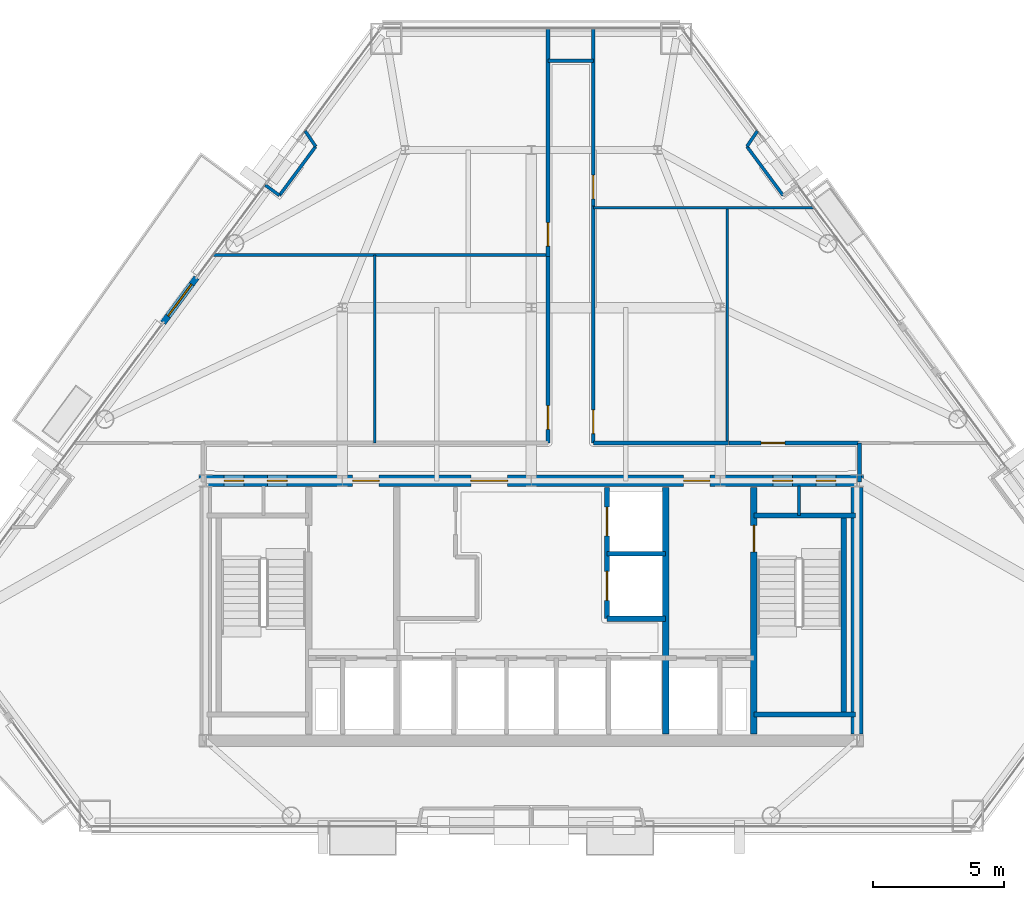
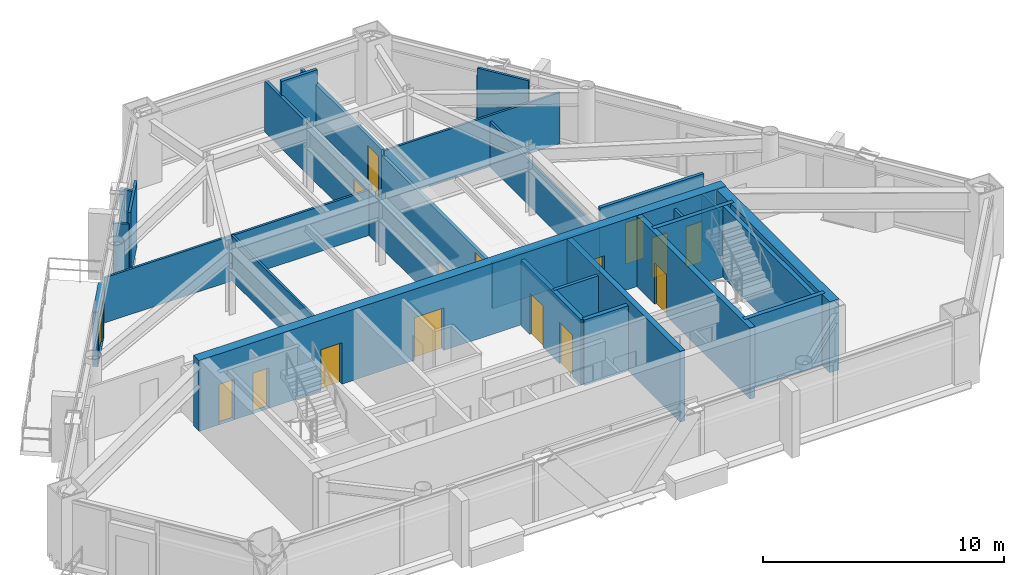
# One storey, part 8 of 11: 29 walls, 16 doors, 16 openings.
"""IFC4 building model written with IfcOpenShell, lengths in metres."""

from ifc_helpers import new_model, si_unit, direction, frame, frame_2d, origin, place, context, subcontext, project, spatial, rectangle, extrude, material, layer, layer_set, type_object, element, fill, save


model = new_model("IFC4")

# Units and contexts
model_context = context("Model", 3, precision=1e-05, world=origin(), true_north=direction((0.0, 1.0)))
body_context = subcontext(model_context, "Body", "Model", "MODEL_VIEW")
ifc_project = project(units=[si_unit("LENGTHUNIT", "METRE"), si_unit("AREAUNIT", "SQUARE_METRE"), si_unit("VOLUMEUNIT", "CUBIC_METRE"), si_unit("PLANEANGLEUNIT", "RADIAN"), si_unit("MASSUNIT", "GRAM", prefix="KILO")], contexts=[model_context])

# Site, building, storey
site_placement = place(None, origin())
site = spatial("IfcSite", under=ifc_project, at=site_placement, CompositionType="ELEMENT")
building_placement = place(site_placement, origin())
building = spatial("IfcBuilding", under=site, at=building_placement, Name="Talgorran Terracotta Tower", CompositionType="ELEMENT")
storey_placement = place(building_placement, frame((0.0, 0.0, 114.0)))
storey = spatial("IfcBuildingStorey", under=building, at=storey_placement, Name="L29", CompositionType="ELEMENT", Elevation=114.0)

# Wall, opening, door
ifc_material_1 = material(Name="Concrete C40/50", Category="concrete")
ifc_layer_1 = layer(ifc_material_1, 0.239990234375, Name="WT_BALCONY_SPAND")
ifc_layer_set_1 = layer_set([ifc_layer_1], Name="Concrete C40/50")
wall_type_1 = type_object("IfcWallType", Name="WT_BALCONY_SPAND", PredefinedType="STANDARD", material=ifc_layer_set_1)
wall_1_placement = place(storey_placement, frame((-12.7509765625, 3.541015625, -0.014892578125), z_axis=(0.0, 0.0, 1.0), x_axis=(-0.594638042479, -0.80399353134, 0.0)))
wall_1 = element("IfcWall", 1, at=wall_1_placement, inside=storey, type_object=wall_type_1, Name="WL-L29-BALP-BAL-NW", PredefinedType="STANDARD", context=body_context, shape_type="SweptSolid", body=[
    extrude(rectangle(XDim=2.139892578125, YDim=0.239990234375, at=frame_2d((1.06982421875, 0.0))), origin(), (0.0, 0.0, 1.0), 2.77685546875),
])
opening_1_placement = place(wall_1_placement, frame((0.320068359375, 0.0, 0.014892578125)))
opening_1 = element("IfcOpeningElement", 2, at=opening_1_placement, cuts=wall_1, Name="Opening D-BAL-L29-2", PredefinedType="OPENING", context=body_context, shape_type="SweptSolid", body=[
    extrude(rectangle(XDim=1.506, YDim=2.203951171875, at=frame_2d((0.75, 1.10205078125))), frame((0.0, 0.1298828125, 0.0), z_axis=(0.0, -1.0, 0.0), x_axis=(1.0, 0.0, 0.0)), (0.0, 0.0, 1.0), 0.260009765625),
])
ifc_material_2 = material(Name="Thermally Broken Aluminium", Category="aluminium")
door_type_1 = type_object("IfcDoorType", Name="DT_BALC_1500", OperationType="SLIDING_TO_RIGHT", PredefinedType="DOOR", material=ifc_material_2)
door_1_placement = place(opening_1_placement, origin())
door_1 = element("IfcDoor", 3, at=door_1_placement, inside=storey, type_object=door_type_1, Name="DR-L29-BAL-BAL-NW", OperationType="SLIDING_TO_RIGHT", OverallHeight=2.199951171875, OverallWidth=1.5, PredefinedType="DOOR", context=body_context, shape_type="SweptSolid", body=[
    extrude(rectangle(XDim=1.5, YDim=2.199951171875, at=frame_2d((0.75, 1.10009765625))), frame((0.0, 0.02490234375, 0.0), z_axis=(0.0, -1.0, 0.0), x_axis=(1.0, 0.0, 0.0)), (0.0, 0.0, 1.0), 0.050048828125),
])
fill(opening_1, door_1)

# Walls
ifc_material_3 = material(Name="Concrete C50/60", Category="concrete")
ifc_layer_2 = layer(ifc_material_3, 0.199951171875, Name="WT_CORE_200")
ifc_layer_set_2 = layer_set([ifc_layer_2], Name="Concrete C50/60")
wall_type_2 = type_object("IfcWallType", Name="WT_CORE_200", PredefinedType="SOLIDWALL", material=ifc_layer_set_2)
for number, where, z_axis, x_axis, name in (
    (4, (8.47998046875, -5.52001953125, 0.0), (0.0, 0.0, 1.0), (1.0, 0.0, 0.0), "WL-L29-CW-ST2-N"),
    (5, (8.47998046875, -13.10009765625, 0.0), (0.0, 0.0, 1.0), (1.0, 0.0, 0.0), "WL-L29-CW-ST2-S"),
):
    element("IfcWall", number, at=place(storey_placement, frame(where, z_axis=z_axis, x_axis=x_axis)), inside=storey, type_object=wall_type_2, Name=name, PredefinedType="SOLIDWALL", context=body_context, shape_type="SweptSolid", body=[
        extrude(rectangle(XDim=3.8701171875, YDim=0.199951171875, at=frame_2d((1.93505859375, 0.0))), origin(), (0.0, 0.0, 1.0), 3.60009765625),
    ])
wall_2_placement = place(storey_placement, frame((11.89990234375, -13.10009765625, 0.0), z_axis=(0.0, 0.0, 1.0), x_axis=(0.0, 1.0, 0.0)))
element("IfcWall", 6, at=wall_2_placement, inside=storey, type_object=wall_type_2, Name="WL-L29-CW-ST2-E", PredefinedType="SOLIDWALL", context=body_context, shape_type="SweptSolid", body=[
    extrude(rectangle(XDim=7.580078125, YDim=0.199951171875, at=frame_2d((3.7900390625, 0.0))), origin(), (0.0, 0.0, 1.0), 3.60009765625),
])

# Wall, openings, doors
wall_3_placement = place(storey_placement, frame((2.8798828125, -9.449951171875, 0.0), z_axis=(0.0, 0.0, 1.0), x_axis=(0.0, 1.0, 0.0)))
wall_3 = element("IfcWall", 7, at=wall_3_placement, inside=storey, type_object=wall_type_2, Name="WL-L29-CW-V-E3", PredefinedType="SOLIDWALL", context=body_context, shape_type="SweptSolid", body=[
    extrude(rectangle(XDim=5.0, YDim=0.199951171875, at=frame_2d((2.5, 0.0))), origin(), (0.0, 0.0, 1.0), 3.320068359375),
])
opening_2_placement = place(wall_3_placement, frame((0.699951171875, 0.0, 0.0)))
opening_2 = element("IfcOpeningElement", 8, at=opening_2_placement, cuts=wall_3, Name="Opening LD-PLM1", PredefinedType="OPENING", context=body_context, shape_type="SweptSolid", body=[
    extrude(rectangle(XDim=1.10609765625, YDim=2.10409765625, at=frame_2d((0.550048828125, 1.052001953125))), frame((0.0, 0.10986328125, 0.0), z_axis=(0.0, -1.0, 0.0), x_axis=(1.0, 0.0, 0.0)), (0.0, 0.0, 1.0), 0.219970703125),
])
opening_3_placement = place(wall_3_placement, frame((3.14990234375, 0.0, 0.0)))
opening_3 = element("IfcOpeningElement", 9, at=opening_3_placement, cuts=wall_3, Name="Opening LD-PLM2", PredefinedType="OPENING", context=body_context, shape_type="SweptSolid", body=[
    extrude(rectangle(XDim=1.10609765625, YDim=2.10409765625, at=frame_2d((0.550048828125, 1.052001953125))), frame((0.0, 0.10986328125, 0.0), z_axis=(0.0, -1.0, 0.0), x_axis=(1.0, 0.0, 0.0)), (0.0, 0.0, 1.0), 0.219970703125),
])
ifc_material_4 = material(Name="Brushed Stainless Steel Grade 304", Category="steel")
door_type_2 = type_object("IfcDoorType", Name="DT_LIFT_LD1100", OperationType="DOUBLE_DOOR_SLIDING", PredefinedType="DOOR", material=ifc_material_4)
door_2_placement = place(opening_2_placement, origin())
door_2 = element("IfcDoor", 10, at=door_2_placement, inside=storey, type_object=door_type_2, Name="L29 Lift Landing Door LD-PLM1", OperationType="DOUBLE_DOOR_SLIDING", OverallHeight=2.10009765625, OverallWidth=1.10009765625, PredefinedType="DOOR", context=body_context, shape_type="SweptSolid", body=[
    extrude(rectangle(XDim=1.10009765625, YDim=2.10009765625, at=frame_2d((0.550048828125, 1.050048828125))), frame((0.0, 0.02490234375, 0.0), z_axis=(0.0, -1.0, 0.0), x_axis=(1.0, 0.0, 0.0)), (0.0, 0.0, 1.0), 0.050048828125),
])
fill(opening_2, door_2)
door_3_placement = place(opening_3_placement, origin())
door_3 = element("IfcDoor", 11, at=door_3_placement, inside=storey, type_object=door_type_2, Name="L29 Lift Landing Door LD-PLM2", OperationType="DOUBLE_DOOR_SLIDING", OverallHeight=2.10009765625, OverallWidth=1.10009765625, PredefinedType="DOOR", context=body_context, shape_type="SweptSolid", body=[
    extrude(rectangle(XDim=1.10009765625, YDim=2.10009765625, at=frame_2d((0.550048828125, 1.050048828125))), frame((0.0, 0.02490234375, 0.0), z_axis=(0.0, -1.0, 0.0), x_axis=(1.0, 0.0, 0.0)), (0.0, 0.0, 1.0), 0.050048828125),
])
fill(opening_3, door_3)

# Wall
wall_4_placement = place(storey_placement, frame((2.8798828125, -9.449951171875, 0.0), z_axis=(0.0, 0.0, 1.0), x_axis=(1.0, 0.0, 0.0)))
element("IfcWall", 12, at=wall_4_placement, inside=storey, type_object=wall_type_2, Name="WL-L29-CW-H-E4", PredefinedType="SOLIDWALL", context=body_context, shape_type="SweptSolid", body=[
    extrude(rectangle(XDim=2.240234375, YDim=0.199951171875, at=frame_2d((1.1201171875, 0.0))), origin(), (0.0, 0.0, 1.0), 3.320068359375),
])

# Wall, opening, door
ifc_layer_3 = layer(ifc_material_3, 0.25, Name="WT_CORE_250")
ifc_layer_set_3 = layer_set([ifc_layer_3], Name="Concrete C50/60")
wall_type_3 = type_object("IfcWallType", Name="WT_CORE_250", PredefinedType="SHEAR", material=ifc_layer_set_3)
wall_5_placement = place(storey_placement, frame((8.47998046875, -13.85009765625, 0.0), z_axis=(0.0, 0.0, 1.0), x_axis=(0.0, 1.0, 0.0)))
wall_5 = element("IfcWall", 13, at=wall_5_placement, inside=storey, type_object=wall_type_3, Name="WL-L29-CW-V-E1", PredefinedType="SHEAR", context=body_context, shape_type="SweptSolid", body=[
    extrude(rectangle(XDim=9.400146484375, YDim=0.25, at=frame_2d((4.7001953125, 0.0))), origin(), (0.0, 0.0, 1.0), 3.60009765625),
])
opening_4_placement = place(wall_5_placement, frame((6.949951171875, 0.0, 0.0)))
opening_4 = element("IfcOpeningElement", 14, at=opening_4_placement, cuts=wall_5, Name="Opening DR-ST02", PredefinedType="OPENING", context=body_context, shape_type="SweptSolid", body=[
    extrude(rectangle(XDim=1.006, YDim=2.10409765625, at=frame_2d((0.5, 1.052001953125))), frame((0.0, 0.135009765625, 0.0), z_axis=(0.0, -1.0, 0.0), x_axis=(1.0, 0.0, 0.0)), (0.0, 0.0, 1.0), 0.27001953125),
])
ifc_material_5 = material(Name="Fire-Rated Pressed Steel", Category="steel")
door_type_3 = type_object("IfcDoorType", Name="DT_FIRE_1000", OperationType="NOTDEFINED", PredefinedType="DOOR", material=ifc_material_5)
door_4_placement = place(opening_4_placement, origin())
door_4 = element("IfcDoor", 15, at=door_4_placement, inside=storey, type_object=door_type_3, Name="DR-ST02", OperationType="SINGLE_SWING_RIGHT", OverallHeight=2.10009765625, OverallWidth=1.0, PredefinedType="DOOR", context=body_context, shape_type="SweptSolid", body=[
    extrude(rectangle(XDim=1.0, YDim=2.10009765625, at=frame_2d((0.5, 1.050048828125))), frame((0.0, 0.02490234375, 0.0), z_axis=(0.0, -1.0, 0.0), x_axis=(1.0, 0.0, 0.0)), (0.0, 0.0, 1.0), 0.050048828125),
])
fill(opening_4, door_4)

# Wall
wall_6_placement = place(storey_placement, frame((5.1201171875, -13.85009765625, 0.0), z_axis=(0.0, 0.0, 1.0), x_axis=(0.0, 1.0, 0.0)))
element("IfcWall", 16, at=wall_6_placement, inside=storey, type_object=wall_type_3, Name="WL-L29-CW-V-E2", PredefinedType="SHEAR", context=body_context, shape_type="SweptSolid", body=[
    extrude(rectangle(XDim=9.400146484375, YDim=0.25, at=frame_2d((4.7001953125, 0.0))), origin(), (0.0, 0.0, 1.0), 3.60009765625),
])

# Wall, openings, doors
ifc_material_6 = material(Name="Concrete C65/80", Category="concrete")
ifc_layer_4 = layer(ifc_material_6, 0.449951171875, Name="WT_CORE_EXT")
ifc_layer_set_4 = layer_set([ifc_layer_4], Name="Concrete C65/80")
wall_type_4 = type_object("IfcWallType", Name="WT_CORE_EXT", PredefinedType="SHEAR", material=ifc_layer_set_4)
wall_7_placement = place(storey_placement, frame((-12.64990234375, -4.199951171875, 0.0), z_axis=(0.0, 0.0, 1.0), x_axis=(1.0, 0.0, 0.0)))
wall_7 = element("IfcWall", 17, at=wall_7_placement, inside=storey, type_object=wall_type_4, Name="WL-L29-CW-OUT-N", PredefinedType="SHEAR", context=body_context, shape_type="SweptSolid", body=[
    extrude(rectangle(XDim=25.2998046875, YDim=0.449951171875, at=frame_2d((12.64990234375, 0.0))), origin(), (0.0, 0.0, 1.0), 3.60009765625),
])
opening_5_placement = place(wall_7_placement, frame((0.949951171875, 0.0, 0.0)))
opening_5 = element("IfcOpeningElement", 18, at=opening_5_placement, cuts=wall_7, Name="Opening DR-CSN1", PredefinedType="OPENING", context=body_context, shape_type="SweptSolid", body=[
    extrude(rectangle(XDim=0.756, YDim=2.054048828125, at=frame_2d((0.375, 1.027099609375))), frame((0.0, 0.23486328125, 0.0), z_axis=(0.0, -1.0, 0.0), x_axis=(1.0, 0.0, 0.0)), (0.0, 0.0, 1.0), 0.469970703125),
])
opening_6_placement = place(wall_7_placement, frame((2.60009765625, 0.0, 0.0)))
opening_6 = element("IfcOpeningElement", 19, at=opening_6_placement, cuts=wall_7, Name="Opening DR-CSN2", PredefinedType="OPENING", context=body_context, shape_type="SweptSolid", body=[
    extrude(rectangle(XDim=0.756, YDim=2.054048828125, at=frame_2d((0.375, 1.027099609375))), frame((0.0, 0.23486328125, 0.0), z_axis=(0.0, -1.0, 0.0), x_axis=(1.0, 0.0, 0.0)), (0.0, 0.0, 1.0), 0.469970703125),
])
opening_7_placement = place(wall_7_placement, frame((21.85009765625, 0.0, 0.0)))
opening_7 = element("IfcOpeningElement", 20, at=opening_7_placement, cuts=wall_7, Name="Opening DR-CSN3", PredefinedType="OPENING", context=body_context, shape_type="SweptSolid", body=[
    extrude(rectangle(XDim=0.756, YDim=2.054048828125, at=frame_2d((0.375, 1.027099609375))), frame((0.0, 0.23486328125, 0.0), z_axis=(0.0, -1.0, 0.0), x_axis=(1.0, 0.0, 0.0)), (0.0, 0.0, 1.0), 0.469970703125),
])
opening_8_placement = place(wall_7_placement, frame((23.5, 0.0, 0.0)))
opening_8 = element("IfcOpeningElement", 21, at=opening_8_placement, cuts=wall_7, Name="Opening DR-CSN4", PredefinedType="OPENING", context=body_context, shape_type="SweptSolid", body=[
    extrude(rectangle(XDim=0.756, YDim=2.054048828125, at=frame_2d((0.375, 1.027099609375))), frame((0.0, 0.23486328125, 0.0), z_axis=(0.0, -1.0, 0.0), x_axis=(1.0, 0.0, 0.0)), (0.0, 0.0, 1.0), 0.469970703125),
])
opening_9_placement = place(wall_7_placement, frame((5.85009765625, 0.0, 0.0)))
opening_9 = element("IfcOpeningElement", 22, at=opening_9_placement, cuts=wall_7, Name="Opening DR-FFLW-N", PredefinedType="OPENING", context=body_context, shape_type="SweptSolid", body=[
    extrude(rectangle(XDim=1.006, YDim=2.10409765625, at=frame_2d((0.5, 1.052001953125))), frame((0.0, 0.23486328125, 0.0), z_axis=(0.0, -1.0, 0.0), x_axis=(1.0, 0.0, 0.0)), (0.0, 0.0, 1.0), 0.469970703125),
])
opening_10_placement = place(wall_7_placement, frame((10.35009765625, 0.0, 0.0)))
opening_10 = element("IfcOpeningElement", 23, at=opening_10_placement, cuts=wall_7, Name="Opening DR-PLL-N", PredefinedType="OPENING", context=body_context, shape_type="SweptSolid", body=[
    extrude(rectangle(XDim=1.40590234375, YDim=2.15390234375, at=frame_2d((0.699951171875, 1.076904296875))), frame((0.0, 0.23486328125, 0.0), z_axis=(0.0, -1.0, 0.0), x_axis=(1.0, 0.0, 0.0)), (0.0, 0.0, 1.0), 0.469970703125),
])
opening_11_placement = place(wall_7_placement, frame((18.449951171875, 0.0, 0.0)))
opening_11 = element("IfcOpeningElement", 24, at=opening_11_placement, cuts=wall_7, Name="Opening DR-FFLE-N", PredefinedType="OPENING", context=body_context, shape_type="SweptSolid", body=[
    extrude(rectangle(XDim=1.006, YDim=2.10409765625, at=frame_2d((0.5, 1.052001953125))), frame((0.0, 0.23486328125, 0.0), z_axis=(0.0, -1.0, 0.0), x_axis=(1.0, 0.0, 0.0)), (0.0, 0.0, 1.0), 0.469970703125),
])
ifc_material_7 = material(Name="Acoustic Glazed Timber", Category="wood")
door_type_4 = type_object("IfcDoorType", Name="DT_DOUBLE_1400", OperationType="DOUBLE_DOOR_SINGLE_SWING", PredefinedType="DOOR", material=ifc_material_7)
door_5_placement = place(opening_10_placement, origin())
door_5 = element("IfcDoor", 25, at=door_5_placement, inside=storey, type_object=door_type_4, Name="DR-PLL-N", OperationType="DOUBLE_DOOR_SINGLE_SWING", OverallHeight=2.14990234375, OverallWidth=1.39990234375, PredefinedType="DOOR", context=body_context, shape_type="SweptSolid", body=[
    extrude(rectangle(XDim=1.39990234375, YDim=2.14990234375, at=frame_2d((0.699951171875, 1.074951171875))), frame((0.0, 0.02490234375, 0.0), z_axis=(0.0, -1.0, 0.0), x_axis=(1.0, 0.0, 0.0)), (0.0, 0.0, 1.0), 0.050048828125),
])
fill(opening_10, door_5)
door_6_placement = place(opening_9_placement, origin())
door_6 = element("IfcDoor", 26, at=door_6_placement, inside=storey, type_object=door_type_3, Name="DR-FFLW-N", OperationType="SINGLE_SWING_LEFT", OverallHeight=2.10009765625, OverallWidth=1.0, PredefinedType="DOOR", context=body_context, shape_type="SweptSolid", body=[
    extrude(rectangle(XDim=1.0, YDim=2.10009765625, at=frame_2d((0.5, 1.050048828125))), frame((0.0, 0.02490234375, 0.0), z_axis=(0.0, -1.0, 0.0), x_axis=(1.0, 0.0, 0.0)), (0.0, 0.0, 1.0), 0.050048828125),
])
fill(opening_9, door_6)
door_7_placement = place(opening_11_placement, origin())
door_7 = element("IfcDoor", 27, at=door_7_placement, inside=storey, type_object=door_type_3, Name="DR-FFLE-N", OperationType="SINGLE_SWING_RIGHT", OverallHeight=2.10009765625, OverallWidth=1.0, PredefinedType="DOOR", context=body_context, shape_type="SweptSolid", body=[
    extrude(rectangle(XDim=1.0, YDim=2.10009765625, at=frame_2d((0.5, 1.050048828125))), frame((0.0, 0.02490234375, 0.0), z_axis=(0.0, -1.0, 0.0), x_axis=(1.0, 0.0, 0.0)), (0.0, 0.0, 1.0), 0.050048828125),
])
fill(opening_11, door_7)
door_type_5 = type_object("IfcDoorType", Name="DT_RISER_750", OperationType="NOTDEFINED", PredefinedType="DOOR", material=ifc_material_5)
door_8_placement = place(opening_5_placement, origin())
door_8 = element("IfcDoor", 28, at=door_8_placement, inside=storey, type_object=door_type_5, Name="DR-CSN1", OperationType="SINGLE_SWING_LEFT", OverallHeight=2.050048828125, OverallWidth=0.75, PredefinedType="DOOR", context=body_context, shape_type="SweptSolid", body=[
    extrude(rectangle(XDim=0.75, YDim=2.050048828125, at=frame_2d((0.375, 1.02490234375))), frame((0.0, 0.02490234375, 0.0), z_axis=(0.0, -1.0, 0.0), x_axis=(1.0, 0.0, 0.0)), (0.0, 0.0, 1.0), 0.050048828125),
])
fill(opening_5, door_8)
door_9_placement = place(opening_6_placement, origin())
door_9 = element("IfcDoor", 29, at=door_9_placement, inside=storey, type_object=door_type_5, Name="DR-CSN2", OperationType="SINGLE_SWING_RIGHT", OverallHeight=2.050048828125, OverallWidth=0.75, PredefinedType="DOOR", context=body_context, shape_type="SweptSolid", body=[
    extrude(rectangle(XDim=0.75, YDim=2.050048828125, at=frame_2d((0.375, 1.02490234375))), frame((0.0, 0.02490234375, 0.0), z_axis=(0.0, -1.0, 0.0), x_axis=(1.0, 0.0, 0.0)), (0.0, 0.0, 1.0), 0.050048828125),
])
fill(opening_6, door_9)
door_10_placement = place(opening_7_placement, origin())
door_10 = element("IfcDoor", 30, at=door_10_placement, inside=storey, type_object=door_type_5, Name="DR-CSN3", OperationType="SINGLE_SWING_LEFT", OverallHeight=2.050048828125, OverallWidth=0.75, PredefinedType="DOOR", context=body_context, shape_type="SweptSolid", body=[
    extrude(rectangle(XDim=0.75, YDim=2.050048828125, at=frame_2d((0.375, 1.02490234375))), frame((0.0, 0.02490234375, 0.0), z_axis=(0.0, -1.0, 0.0), x_axis=(1.0, 0.0, 0.0)), (0.0, 0.0, 1.0), 0.050048828125),
])
fill(opening_7, door_10)
door_11_placement = place(opening_8_placement, origin())
door_11 = element("IfcDoor", 31, at=door_11_placement, inside=storey, type_object=door_type_5, Name="DR-CSN4", OperationType="SINGLE_SWING_RIGHT", OverallHeight=2.050048828125, OverallWidth=0.75, PredefinedType="DOOR", context=body_context, shape_type="SweptSolid", body=[
    extrude(rectangle(XDim=0.75, YDim=2.050048828125, at=frame_2d((0.375, 1.02490234375))), frame((0.0, 0.02490234375, 0.0), z_axis=(0.0, -1.0, 0.0), x_axis=(1.0, 0.0, 0.0)), (0.0, 0.0, 1.0), 0.050048828125),
])
fill(opening_8, door_11)

# Wall
wall_8_placement = place(storey_placement, frame((12.39990234375, -13.85009765625, 0.0), z_axis=(0.0, 0.0, 1.0), x_axis=(0.0, 1.0, 0.0)))
element("IfcWall", 32, at=wall_8_placement, inside=storey, type_object=wall_type_4, Name="WL-L29-CW-OUT-E", PredefinedType="SHEAR", context=body_context, shape_type="SweptSolid", body=[
    extrude(rectangle(XDim=9.400146484375, YDim=0.449951171875, at=frame_2d((4.7001953125, 0.0))), origin(), (0.0, 0.0, 1.0), 3.60009765625),
])

# Wall, opening, door
ifc_material_8 = material(Name="Fire-Rated Steel Stud Plasterboard", Category="steel")
ifc_layer_5 = layer(ifc_material_8, 0.14990234375, Name="WT_FIRE_150")
ifc_layer_set_5 = layer_set([ifc_layer_5], Name="Fire-Rated Steel Stud Plasterboard")
wall_type_5 = type_object("IfcWallType", Name="WT_FIRE_150", PredefinedType="PARTITIONING", material=ifc_layer_set_5)
wall_9_placement = place(storey_placement, frame((2.360107421875, -2.760009765625, 0.0), z_axis=(0.0, 0.0, 1.0), x_axis=(0.0, 1.0, 0.0)))
wall_9 = element("IfcWall", 33, at=wall_9_placement, inside=storey, type_object=wall_type_5, Name="WL-L29-W-L29-R08", PredefinedType="PARTITIONING", context=body_context, shape_type="SweptSolid", body=[
    extrude(rectangle(XDim=9.02001953125, YDim=0.14990234375, at=frame_2d((4.510009765625, 0.0))), origin(), (0.0, 0.0, 1.0), 2.294921875),
])
opening_12_placement = place(wall_9_placement, frame((0.360107421875, 0.0, 0.0)))
opening_12 = element("IfcOpeningElement", 34, at=opening_12_placement, cuts=wall_9, Name="Opening DR-L29-R05", PredefinedType="OPENING", context=body_context, shape_type="SweptSolid", body=[
    extrude(rectangle(XDim=0.90590234375, YDim=2.10409765625, at=frame_2d((0.449951171875, 1.052001953125))), frame((0.0, 0.0849609375, 0.0), z_axis=(0.0, -1.0, 0.0), x_axis=(1.0, 0.0, 0.0)), (0.0, 0.0, 1.0), 0.169921875),
])
ifc_material_9 = material(Name="Fire-Rated Timber Core", Category="wood")
door_type_6 = type_object("IfcDoorType", Name="DT_FIRE_900", OperationType="NOTDEFINED", PredefinedType="DOOR", material=ifc_material_9)
door_12_placement = place(opening_12_placement, origin())
door_12 = element("IfcDoor", 35, at=door_12_placement, inside=storey, type_object=door_type_6, Name="DR-L29-R05", OperationType="SINGLE_SWING_LEFT", OverallHeight=2.10009765625, OverallWidth=0.89990234375, PredefinedType="DOOR", context=body_context, shape_type="SweptSolid", body=[
    extrude(rectangle(XDim=0.89990234375, YDim=2.10009765625, at=frame_2d((0.449951171875, 1.050048828125))), frame((0.0, 0.02490234375, 0.0), z_axis=(0.0, -1.0, 0.0), x_axis=(1.0, 0.0, 0.0)), (0.0, 0.0, 1.0), 0.050048828125),
])
fill(opening_12, door_12)

wall_10_placement = place(storey_placement, frame((0.639892578125, 4.340087890625, 0.0), z_axis=(0.0, 0.0, 1.0), x_axis=(0.0, 1.0, 0.0)))
wall_10 = element("IfcWall", 36, at=wall_10_placement, inside=storey, type_object=wall_type_5, Name="WL-L29-W-L29-R01", PredefinedType="PARTITIONING", context=body_context, shape_type="SweptSolid", body=[
    extrude(rectangle(XDim=8.701904296875, YDim=0.14990234375, at=frame_2d((4.35107421875, 0.0))), origin(), (0.0, 0.0, 1.0), 2.5869140625),
])
opening_13_placement = place(wall_10_placement, frame((0.398193359375, 0.0, 0.0)))
opening_13 = element("IfcOpeningElement", 37, at=opening_13_placement, cuts=wall_10, Name="Opening DR-L29-R01", PredefinedType="OPENING", context=body_context, shape_type="SweptSolid", body=[
    extrude(rectangle(XDim=0.90590234375, YDim=2.10409765625, at=frame_2d((0.449951171875, 1.052001953125))), frame((0.0, 0.0849609375, 0.0), z_axis=(0.0, -1.0, 0.0), x_axis=(1.0, 0.0, 0.0)), (0.0, 0.0, 1.0), 0.169921875),
])
door_13_placement = place(opening_13_placement, origin())
door_13 = element("IfcDoor", 38, at=door_13_placement, inside=storey, type_object=door_type_6, Name="DR-L29-R01", OperationType="SINGLE_SWING_LEFT", OverallHeight=2.10009765625, OverallWidth=0.89990234375, PredefinedType="DOOR", context=body_context, shape_type="SweptSolid", body=[
    extrude(rectangle(XDim=0.89990234375, YDim=2.10009765625, at=frame_2d((0.449951171875, 1.050048828125))), frame((0.0, 0.02490234375, 0.0), z_axis=(0.0, -1.0, 0.0), x_axis=(1.0, 0.0, 0.0)), (0.0, 0.0, 1.0), 0.050048828125),
])
fill(opening_13, door_13)

wall_11_placement = place(storey_placement, frame((0.639892578125, -2.760009765625, 0.0), z_axis=(0.0, 0.0, 1.0), x_axis=(0.0, 1.0, 0.0)))
wall_11 = element("IfcWall", 39, at=wall_11_placement, inside=storey, type_object=wall_type_5, Name="WL-L29-W-L29-R07", PredefinedType="PARTITIONING", context=body_context, shape_type="SweptSolid", body=[
    extrude(rectangle(XDim=7.097900390625, YDim=0.14990234375, at=frame_2d((3.548828125, 0.0))), origin(), (0.0, 0.0, 1.0), 2.294921875),
])
opening_14_placement = place(wall_11_placement, frame((0.52001953125, 0.0, 0.0)))
opening_14 = element("IfcOpeningElement", 40, at=opening_14_placement, cuts=wall_11, Name="Opening DR-L29-R04", PredefinedType="OPENING", context=body_context, shape_type="SweptSolid", body=[
    extrude(rectangle(XDim=0.90590234375, YDim=2.10409765625, at=frame_2d((0.449951171875, 1.052001953125))), frame((0.0, 0.0849609375, 0.0), z_axis=(0.0, -1.0, 0.0), x_axis=(1.0, 0.0, 0.0)), (0.0, 0.0, 1.0), 0.169921875),
])
door_14_placement = place(opening_14_placement, origin())
door_14 = element("IfcDoor", 41, at=door_14_placement, inside=storey, type_object=door_type_6, Name="DR-L29-R04", OperationType="SINGLE_SWING_RIGHT", OverallHeight=2.10009765625, OverallWidth=0.89990234375, PredefinedType="DOOR", context=body_context, shape_type="SweptSolid", body=[
    extrude(rectangle(XDim=0.89990234375, YDim=2.10009765625, at=frame_2d((0.449951171875, 1.050048828125))), frame((0.0, 0.02490234375, 0.0), z_axis=(0.0, -1.0, 0.0), x_axis=(1.0, 0.0, 0.0)), (0.0, 0.0, 1.0), 0.050048828125),
])
fill(opening_14, door_14)

wall_12_placement = place(storey_placement, frame((2.360107421875, 6.261962890625, 0.0), z_axis=(0.0, 0.0, 1.0), x_axis=(0.0, 1.0, 0.0)))
wall_12 = element("IfcWall", 42, at=wall_12_placement, inside=storey, type_object=wall_type_5, Name="WL-L29-W-L29-R04", PredefinedType="PARTITIONING", context=body_context, shape_type="SweptSolid", body=[
    extrude(rectangle(XDim=6.780029296875, YDim=0.14990234375, at=frame_2d((3.39013671875, 0.0))), origin(), (0.0, 0.0, 1.0), 2.5869140625),
])
opening_15_placement = place(wall_12_placement, frame((0.275390625, 0.0, 0.0)))
opening_15 = element("IfcOpeningElement", 43, at=opening_15_placement, cuts=wall_12, Name="Opening DR-L29-R02", PredefinedType="OPENING", context=body_context, shape_type="SweptSolid", body=[
    extrude(rectangle(XDim=0.90590234375, YDim=2.10409765625, at=frame_2d((0.449951171875, 1.052001953125))), frame((0.0, 0.0849609375, 0.0), z_axis=(0.0, -1.0, 0.0), x_axis=(1.0, 0.0, 0.0)), (0.0, 0.0, 1.0), 0.169921875),
])
door_15_placement = place(opening_15_placement, origin())
door_15 = element("IfcDoor", 44, at=door_15_placement, inside=storey, type_object=door_type_6, Name="DR-L29-R02", OperationType="SINGLE_SWING_RIGHT", OverallHeight=2.10009765625, OverallWidth=0.89990234375, PredefinedType="DOOR", context=body_context, shape_type="SweptSolid", body=[
    extrude(rectangle(XDim=0.89990234375, YDim=2.10009765625, at=frame_2d((0.449951171875, 1.050048828125))), frame((0.0, 0.02490234375, 0.0), z_axis=(0.0, -1.0, 0.0), x_axis=(1.0, 0.0, 0.0)), (0.0, 0.0, 1.0), 0.050048828125),
])
fill(opening_15, door_15)

# Wall
wall_13_placement = place(storey_placement, frame((2.360107421875, -2.760009765625, 0.0), z_axis=(0.0, 0.0, 1.0), x_axis=(1.0, 0.0, 0.0)))
element("IfcWall", 45, at=wall_13_placement, inside=storey, type_object=wall_type_5, Name="WL-L29-W-L29-R09", PredefinedType="PARTITIONING", context=body_context, shape_type="SweptSolid", body=[
    extrude(rectangle(XDim=5.159912109375, YDim=0.14990234375, at=frame_2d((2.580078125, 0.0))), origin(), (0.0, 0.0, 1.0), 2.294921875),
])

# Wall, opening, door
wall_14_placement = place(storey_placement, frame((7.52197265625, -2.760009765625, 0.0), z_axis=(0.0, 0.0, 1.0), x_axis=(1.0, 0.0, 0.0)))
wall_14 = element("IfcWall", 46, at=wall_14_placement, inside=storey, type_object=wall_type_5, Name="WL-L29-W-L29-R10", PredefinedType="PARTITIONING", context=body_context, shape_type="SweptSolid", body=[
    extrude(rectangle(XDim=4.97802734375, YDim=0.14990234375, at=frame_2d((2.489013671875, 0.0))), origin(), (0.0, 0.0, 1.0), 3.320068359375),
])
opening_16_placement = place(wall_14_placement, frame((1.238037109375, 0.0, 0.0)))
opening_16 = element("IfcOpeningElement", 47, at=opening_16_placement, cuts=wall_14, Name="Opening DR-L29-R06", PredefinedType="OPENING", context=body_context, shape_type="SweptSolid", body=[
    extrude(rectangle(XDim=0.90590234375, YDim=2.10409765625, at=frame_2d((0.449951171875, 1.052001953125))), frame((0.0, 0.0849609375, 0.0), z_axis=(0.0, -1.0, 0.0), x_axis=(1.0, 0.0, 0.0)), (0.0, 0.0, 1.0), 0.169921875),
])
door_16_placement = place(opening_16_placement, origin())
door_16 = element("IfcDoor", 48, at=door_16_placement, inside=storey, type_object=door_type_6, Name="DR-L29-R06", OperationType="SINGLE_SWING_RIGHT", OverallHeight=2.10009765625, OverallWidth=0.89990234375, PredefinedType="DOOR", context=body_context, shape_type="SweptSolid", body=[
    extrude(rectangle(XDim=0.89990234375, YDim=2.10009765625, at=frame_2d((0.449951171875, 1.050048828125))), frame((0.0, 0.02490234375, 0.0), z_axis=(0.0, -1.0, 0.0), x_axis=(1.0, 0.0, 0.0)), (0.0, 0.0, 1.0), 0.050048828125),
])
fill(opening_16, door_16)

# Walls
wall_15_placement = place(storey_placement, frame((12.5, -4.239990234375, 0.0), z_axis=(0.0, 0.0, 1.0), x_axis=(0.0, 1.0, 0.0)))
element("IfcWall", 49, at=wall_15_placement, inside=storey, type_object=wall_type_5, Name="WL-L29-W-L29-R12", PredefinedType="PARTITIONING", context=body_context, shape_type="SweptSolid", body=[
    extrude(rectangle(XDim=1.47998046875, YDim=0.14990234375, at=frame_2d((0.739990234375, 0.0))), origin(), (0.0, 0.0, 1.0), 2.294921875),
])
wall_16_placement = place(storey_placement, frame((0.639892578125, 11.800048828125, 0.0), z_axis=(0.0, 0.0, 1.0), x_axis=(1.0, 0.0, 0.0)))
element("IfcWall", 50, at=wall_16_placement, inside=storey, type_object=wall_type_5, Name="WL-L29-W-L29-R02", PredefinedType="PARTITIONING", context=body_context, shape_type="SweptSolid", body=[
    extrude(rectangle(XDim=1.72021484375, YDim=0.14990234375, at=frame_2d((0.860107421875, 0.0))), origin(), (0.0, 0.0, 1.0), 3.320068359375),
])
ifc_material_10 = material(Name="Lightweight Steel Stud Partition", Category="steel")
ifc_layer_6 = layer(ifc_material_10, 0.10498046875, Name="WT_PART_110")
ifc_layer_set_6 = layer_set([ifc_layer_6], Name="Lightweight Steel Stud Partition")
wall_type_6 = type_object("IfcWallType", Name="WT_PART_110", PredefinedType="PARTITIONING", material=ifc_layer_set_6)
wall_17_placement = place(storey_placement, frame((7.4599609375, -2.760009765625, 0.0), z_axis=(0.0, 0.0, 1.0), x_axis=(0.0, 1.0, 0.0)))
element("IfcWall", 51, at=wall_17_placement, inside=storey, type_object=wall_type_6, Name="WL-L29-W-L29-R19", PredefinedType="PARTITIONING", context=body_context, shape_type="SweptSolid", body=[
    extrude(rectangle(XDim=8.9599609375, YDim=0.10498046875, at=frame_2d((4.47998046875, 0.0))), origin(), (0.0, 0.0, 1.0), 2.294921875),
])
wall_18_placement = place(storey_placement, frame((-5.9599609375, -2.760009765625, 0.0), z_axis=(0.0, 0.0, 1.0), x_axis=(0.0, 1.0, 0.0)))
element("IfcWall", 52, at=wall_18_placement, inside=storey, type_object=wall_type_6, Name="WL-L29-W-L29-R17", PredefinedType="PARTITIONING", context=body_context, shape_type="SweptSolid", body=[
    extrude(rectangle(XDim=7.159912109375, YDim=0.10498046875, at=frame_2d((3.580078125, 0.0))), origin(), (0.0, 0.0, 1.0), 2.294921875),
])
wall_19_placement = place(storey_placement, frame((-12.11572265625, 4.39990234375, 0.0), z_axis=(0.0, 0.0, 1.0), x_axis=(1.0, 0.0, 0.0)))
element("IfcWall", 53, at=wall_19_placement, inside=storey, type_object=wall_type_6, Name="WL-L29-W-L29-R14", PredefinedType="PARTITIONING", context=body_context, shape_type="SweptSolid", body=[
    extrude(rectangle(XDim=12.755615234375, YDim=0.10498046875, at=frame_2d((6.3779296875, 0.0))), origin(), (0.0, 0.0, 1.0), 2.294921875),
])
wall_20_placement = place(storey_placement, frame((2.360107421875, 6.199951171875, 0.0), z_axis=(0.0, 0.0, 1.0), x_axis=(1.0, 0.0, 0.0)))
element("IfcWall", 54, at=wall_20_placement, inside=storey, type_object=wall_type_6, Name="WL-L29-W-L29-R15", PredefinedType="PARTITIONING", context=body_context, shape_type="SweptSolid", body=[
    extrude(rectangle(XDim=8.42431640625, YDim=0.10498046875, at=frame_2d((4.212158203125, 0.0))), origin(), (0.0, 0.0, 1.0), 2.5869140625),
])
ifc_material_11 = material(Name="Insulated Steel Stud Plasterboard", Category="steel")
ifc_layer_7 = layer(ifc_material_11, 0.1201171875, Name="WT_PART_120")
ifc_layer_set_7 = layer_set([ifc_layer_7], Name="Insulated Steel Stud Plasterboard")
wall_type_7 = type_object("IfcWallType", Name="WT_PART_120", PredefinedType="PARTITIONING", material=ifc_layer_set_7)
wall_21_placement = place(storey_placement, frame((10.199951171875, -5.52001953125, 0.0), z_axis=(0.0, 0.0, 1.0), x_axis=(0.0, 1.0, 0.0)))
element("IfcWall", 55, at=wall_21_placement, inside=storey, type_object=wall_type_7, Name="WL-L29-CW-CSE-DIV", PredefinedType="PARTITIONING", context=body_context, shape_type="SweptSolid", body=[
    extrude(rectangle(XDim=1.1201171875, YDim=0.1201171875, at=frame_2d((0.56005859375, 0.0))), origin(), (0.0, 0.0, 1.0), 3.320068359375),
])
for number, where, z_axis, x_axis, name in (
    (56, (-8.211669921875, 8.534912109375, 0.0), (0.0, 0.0, 1.0), (-0.59468950564, -0.803955466355, 0.0), "WL-L29-BW-L29-15"),
    (57, (9.593017578125, 6.66748046875, 0.0), (0.0, 0.0, 1.0), (-0.59468950564, 0.803955466355, 0.0), "WL-L29-BW-L29-18"),
):
    element("IfcWall", number, at=place(storey_placement, frame(where, z_axis=z_axis, x_axis=x_axis)), inside=storey, type_object=wall_type_7, Name=name, PredefinedType="PARTITIONING", context=body_context, shape_type="SweptSolid", body=[
        extrude(rectangle(XDim=2.32275390625, YDim=0.1201171875, at=frame_2d((1.161376953125, 0.0))), origin(), (0.0, 0.0, 1.0), 3.320068359375),
    ])
for number, where, z_axis, x_axis, name in (
    (58, (-8.611083984375, 9.121826171875, 0.0), (0.0, 0.0, 1.0), (0.562610985683, -0.826721766248, 0.0), "WL-L29-BW-L29-14"),
    (59, (8.211669921875, 8.534912109375, 0.0), (0.0, 0.0, 1.0), (0.562610985683, 0.826721766248, 0.0), "WL-L29-BW-L29-19"),
):
    element("IfcWall", number, at=place(storey_placement, frame(where, z_axis=z_axis, x_axis=x_axis)), inside=storey, type_object=wall_type_7, Name=name, PredefinedType="PARTITIONING", context=body_context, shape_type="SweptSolid", body=[
        extrude(rectangle(XDim=0.7099609375, YDim=0.1201171875, at=frame_2d((0.35498046875, 0.0))), origin(), (0.0, 0.0, 1.0), 2.761962890625),
    ])
wall_22_placement = place(storey_placement, frame((-9.593017578125, 6.66748046875, 0.0), z_axis=(0.0, 0.0, 1.0), x_axis=(-0.803918563719, 0.594739390748, 0.0)))
element("IfcWall", 60, at=wall_22_placement, inside=storey, type_object=wall_type_7, Name="WL-L29-BW-L29-16", PredefinedType="PARTITIONING", context=body_context, shape_type="SweptSolid", body=[
    extrude(rectangle(XDim=0.669921875, YDim=0.1201171875, at=frame_2d((0.3349609375, 0.0))), origin(), (0.0, 0.0, 1.0), 2.761962890625),
])
ifc_material_12 = material(Name="Fire-Rated Shaftwall")
ifc_layer_8 = layer(ifc_material_12, 0.159912109375, Name="WT_PART_150")
ifc_layer_set_8 = layer_set([ifc_layer_8], Name="Fire-Rated Shaftwall")
wall_type_8 = type_object("IfcWallType", Name="WT_PART_150", PredefinedType="PARTITIONING", material=ifc_layer_set_8)
wall_23_placement = place(storey_placement, frame((2.8798828125, -6.97998046875, 0.0), z_axis=(0.0, 0.0, 1.0), x_axis=(1.0, 0.0, 0.0)))
element("IfcWall", 61, at=wall_23_placement, inside=storey, type_object=wall_type_8, Name="WL-L29-CW-PLM-DIV", PredefinedType="PARTITIONING", context=body_context, shape_type="SweptSolid", body=[
    extrude(rectangle(XDim=2.240234375, YDim=0.159912109375, at=frame_2d((1.1201171875, 0.0))), origin(), (0.0, 0.0, 1.0), 3.320068359375),
])

save(model, "model.ifc")
